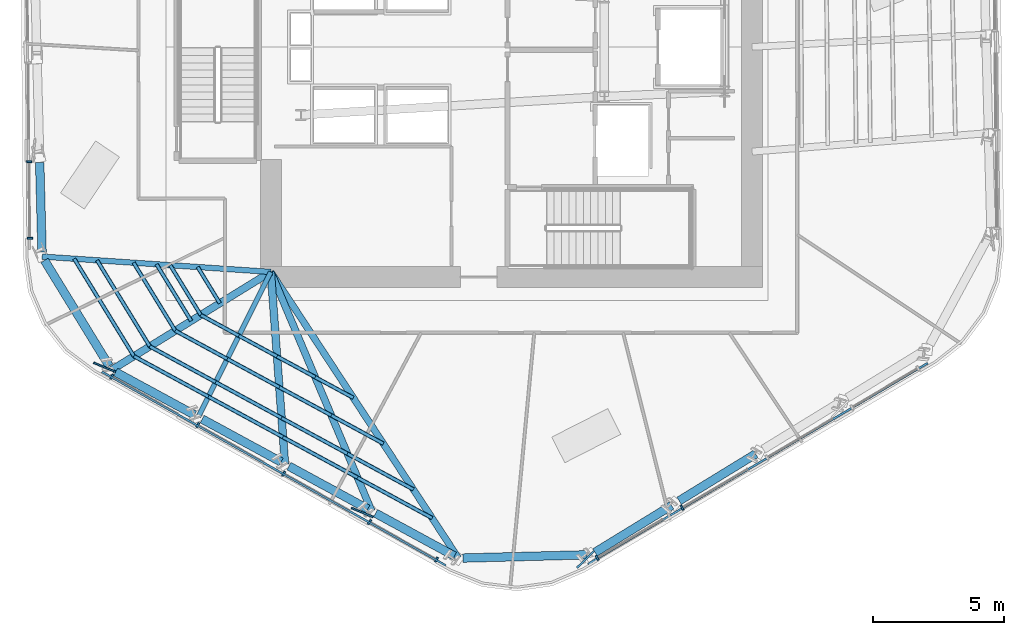
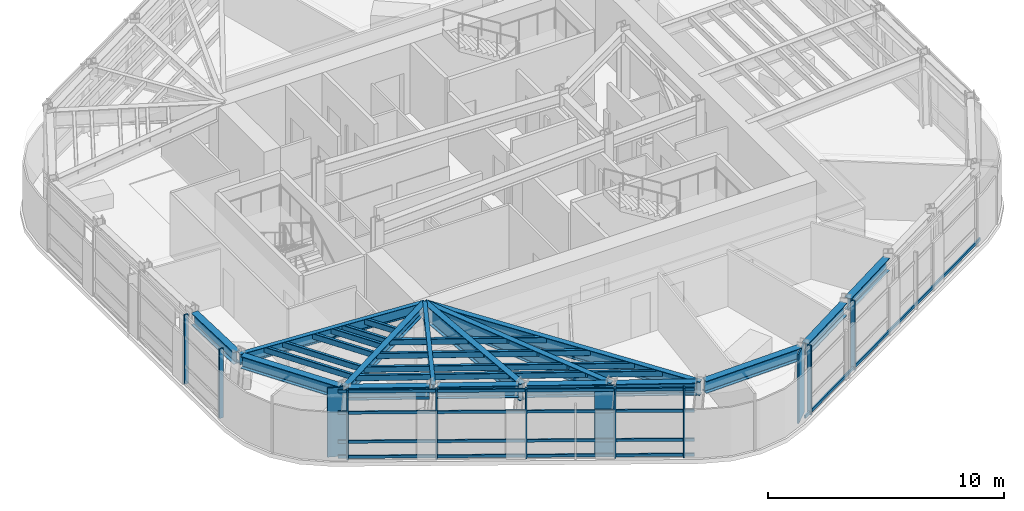
# One storey, part 2 of 16: 39 members, 15 beams, 3 elements without a shape of their own.
"""IFC4 building model written with IfcOpenShell, lengths in metres."""

from ifc_helpers import new_model, si_unit, direction, frame, origin, origin_2d, place, context, subcontext, project, spatial, rectangle, hollow_rectangle, i_section, extrude, material, layer, layer_set, material_profile, profile_set, type_object, element, aggregate, save


model = new_model("IFC4")

# Units and contexts
model_context = context("Model", 3, precision=1e-05, world=origin(), true_north=direction((0.0, 1.0)))
body_context = subcontext(model_context, "Body", "Model", "MODEL_VIEW")
ifc_project = project(units=[si_unit("LENGTHUNIT", "METRE"), si_unit("AREAUNIT", "SQUARE_METRE"), si_unit("VOLUMEUNIT", "CUBIC_METRE"), si_unit("PLANEANGLEUNIT", "RADIAN"), si_unit("MASSUNIT", "GRAM", prefix="KILO")], contexts=[model_context])

# Site, building, storey
site_placement = place(None, origin())
site = spatial("IfcSite", under=ifc_project, at=site_placement, CompositionType="ELEMENT")
building_placement = place(site_placement, origin())
building = spatial("IfcBuilding", under=site, at=building_placement, Name="Valkerne Bourse Tower", CompositionType="ELEMENT")
storey_placement = place(building_placement, frame((0.0, 0.0, 155.199951171875)))
storey = spatial("IfcBuildingStorey", under=building, at=storey_placement, Name="L39", CompositionType="ELEMENT", Elevation=155.199951171875)

# Beams
ifc_material_1 = material(Name="Steel ASTM A992", Category="steel")
ifc_material_profile_1 = material_profile(ifc_material_1, i_section(OverallWidth=0.1904296875, OverallDepth=0.457275390625, WebThickness=0.009033203125, FlangeThickness=0.014404296875, FilletRadius=0.01513671875, at=origin_2d()), Name="W18X50")
ifc_profile_set_1 = profile_set([ifc_material_profile_1], Name="Steel ASTM A992")
beam_type_1 = type_object("IfcBeamType", Name="BM-W18X50", PredefinedType="JOIST", material=ifc_profile_set_1)
beam_1_placement = place(storey_placement, frame((34.828857421875, 12.854736328125, 3.3515625), z_axis=(0.447040300408, 0.894513817563, 0.0), x_axis=(-0.894513817563, 0.447040300408, 0.0)))
element("IfcBeam", 1, at=beam_1_placement, inside=storey, type_object=beam_type_1, Name="L39 Radial Composite Floor Beam 16", PredefinedType="JOIST", context=body_context, shape_type="SweptSolid", body=[
    extrude(i_section(OverallWidth=0.1904296875, OverallDepth=0.457275390625, WebThickness=0.009033203125, FlangeThickness=0.014404296875, FilletRadius=0.01513671875, at=origin_2d()), origin(), (0.0, 0.0, 1.0), 6.198974609375),
])
ifc_material_profile_2 = material_profile(ifc_material_1, i_section(OverallWidth=0.279296875, OverallDepth=0.46240234375, WebThickness=0.0107421875, FlangeThickness=0.017333984375, FilletRadius=0.017822265625, at=origin_2d()), Name="W18X76")
ifc_profile_set_2 = profile_set([ifc_material_profile_2], Name="Steel ASTM A992")
beam_type_2 = type_object("IfcBeamType", Name="BM-W18X76", PredefinedType="BEAM", material=ifc_profile_set_2)
beam_2_placement = place(storey_placement, frame((31.514892578125, 14.654052734375, 3.348876953125), z_axis=(0.851589097341, 0.524209890492, 0.0), x_axis=(-0.524209890492, 0.851589097341, 0.0)))
element("IfcBeam", 2, at=beam_2_placement, inside=storey, type_object=beam_type_2, Name="L39 Radial Composite Floor Beam 15", PredefinedType="BEAM", context=body_context, shape_type="SweptSolid", body=[
    extrude(i_section(OverallWidth=0.279296875, OverallDepth=0.46240234375, WebThickness=0.0107421875, FlangeThickness=0.017333984375, FilletRadius=0.017822265625, at=origin_2d()), origin(), (0.0, 0.0, 1.0), 7.145751953125),
])
ifc_material_profile_3 = material_profile(ifc_material_1, i_section(OverallWidth=0.209228515625, OverallDepth=0.533447265625, WebThickness=0.01025390625, FlangeThickness=0.015625, FilletRadius=0.017822265625, at=origin_2d()), Name="W21X62")
ifc_profile_set_3 = profile_set([ifc_material_profile_3], Name="Steel ASTM A992")
beam_type_3 = type_object("IfcBeamType", Name="BM-W21X62", PredefinedType="JOIST", material=ifc_profile_set_3)
beam_3_placement = place(storey_placement, frame((28.8603515625, 18.985595703125, 3.313232421875), z_axis=(0.997762035655, -0.06686494004, 0.0), x_axis=(0.06686494004, 0.997762035655, 0.0)))
element("IfcBeam", 3, at=beam_3_placement, inside=storey, type_object=beam_type_3, Name="L39 Radial Composite Floor Beam 14", PredefinedType="JOIST", context=body_context, shape_type="SweptSolid", body=[
    extrude(i_section(OverallWidth=0.209228515625, OverallDepth=0.533447265625, WebThickness=0.01025390625, FlangeThickness=0.015625, FilletRadius=0.017822265625, at=origin_2d()), origin(), (0.0, 0.0, 1.0), 8.75927734375),
])
ifc_material_profile_4 = material_profile(ifc_material_1, i_section(OverallWidth=0.32763671875, OverallDepth=0.62744140625, WebThickness=0.0166015625, FlangeThickness=0.027587890625, FilletRadius=0.020263671875, at=origin_2d()), Name="W24X146")
ifc_profile_set_4 = profile_set([ifc_material_profile_4], Name="Steel ASTM A992")
beam_type_4 = type_object("IfcBeamType", Name="BM-W24X146", PredefinedType="SPANDREL", material=ifc_profile_set_4)
beam_4_placement = place(storey_placement, frame((28.76611328125, 22.58544921875, 3.266357421875), z_axis=(0.026185053561, -0.999657112699, 0.0), x_axis=(0.999657112699, 0.026185053561, 0.0)))
element("IfcBeam", 4, at=beam_4_placement, inside=storey, type_object=beam_type_4, Name="L39 Hexagonal Spandrel Ring Beam 13", PredefinedType="SPANDREL", context=body_context, shape_type="SweptSolid", body=[
    extrude(i_section(OverallWidth=0.32763671875, OverallDepth=0.62744140625, WebThickness=0.0166015625, FlangeThickness=0.027587890625, FilletRadius=0.020263671875, at=origin_2d()), origin(), (0.0, 0.0, 1.0), 3.43115234375),
])
beam_5_placement = place(storey_placement, frame((28.94921875, 18.8408203125, 3.266357421875), z_axis=(0.522501670673, -0.852638261014, 0.0), x_axis=(0.852638261014, 0.522501670673, 0.0)))
element("IfcBeam", 5, at=beam_5_placement, inside=storey, type_object=beam_type_4, Name="L39 Hexagonal Spandrel Ring Beam 14", PredefinedType="SPANDREL", context=body_context, shape_type="SweptSolid", body=[
    extrude(i_section(OverallWidth=0.32763671875, OverallDepth=0.62744140625, WebThickness=0.0166015625, FlangeThickness=0.027587890625, FilletRadius=0.020263671875, at=origin_2d()), origin(), (0.0, 0.0, 1.0), 4.740234375),
])
for number, where, z_axis, x_axis, name in (
    (6, (31.664306640625, 14.572998046875, 3.266357421875), (0.878802278942, -0.477186079561, 0.0), (0.477186079561, 0.878802278942, 0.0), "L39 Hexagonal Spandrel Ring Beam 15"),
    (7, (34.978271484375, 12.773681640625, 3.266357421875), (0.878802278942, -0.477186079561, 0.0), (0.477186079561, 0.878802278942, 0.0), "L39 Hexagonal Spandrel Ring Beam 16"),
    (8, (38.292236328125, 10.974365234375, 3.266357421875), (0.878802278942, -0.477186079561, 0.0), (0.477186079561, 0.878802278942, 0.0), "L39 Hexagonal Spandrel Ring Beam 17"),
    (9, (41.606201171875, 9.175048828125, 3.266357421875), (0.878802278942, -0.477186079561, 0.0), (0.477186079561, 0.878802278942, 0.0), "L39 Hexagonal Spandrel Ring Beam 18"),
):
    element("IfcBeam", number, at=place(storey_placement, frame(where, z_axis=z_axis, x_axis=x_axis)), inside=storey, type_object=beam_type_4, Name=name, PredefinedType="SPANDREL", context=body_context, shape_type="SweptSolid", body=[
        extrude(i_section(OverallWidth=0.32763671875, OverallDepth=0.62744140625, WebThickness=0.0166015625, FlangeThickness=0.027587890625, FilletRadius=0.020263671875, at=origin_2d()), origin(), (0.0, 0.0, 1.0), 3.430908203125),
    ])
beam_6_placement = place(storey_placement, frame((44.940673828125, 7.461181640625, 3.266357421875), z_axis=(0.999657651803, 0.026164464275, 0.0), x_axis=(-0.026164464275, 0.999657651803, 0.0)))
element("IfcBeam", 10, at=beam_6_placement, inside=storey, type_object=beam_type_4, Name="L39 Hexagonal Spandrel Ring Beam 19", PredefinedType="SPANDREL", context=body_context, shape_type="SweptSolid", body=[
    extrude(i_section(OverallWidth=0.32763671875, OverallDepth=0.62744140625, WebThickness=0.0166015625, FlangeThickness=0.027587890625, FilletRadius=0.020263671875, at=origin_2d()), origin(), (0.0, 0.0, 1.0), 4.740234375),
])
for number, where, z_axis, x_axis, name in (
    (11, (49.994140625, 7.678466796875, 3.266357421875), (0.852646245689, 0.522488640749, 0.0), (-0.522488640749, 0.852646245689, 0.0), "L39 Hexagonal Spandrel Ring Beam 20"),
    (12, (53.20947265625, 9.648681640625, 3.266357421875), (0.852614546043, 0.522540367699, 0.0), (-0.522540367699, 0.852614546043, 0.0), "L39 Hexagonal Spandrel Ring Beam 21"),
):
    element("IfcBeam", number, at=place(storey_placement, frame(where, z_axis=z_axis, x_axis=x_axis)), inside=storey, type_object=beam_type_4, Name=name, PredefinedType="SPANDREL", context=body_context, shape_type="SweptSolid", body=[
        extrude(i_section(OverallWidth=0.32763671875, OverallDepth=0.62744140625, WebThickness=0.0166015625, FlangeThickness=0.027587890625, FilletRadius=0.020263671875, at=origin_2d()), origin(), (0.0, 0.0, 1.0), 3.43115234375),
    ])
ifc_material_profile_5 = material_profile(ifc_material_1, i_section(OverallWidth=0.255859375, OverallDepth=0.693359375, WebThickness=0.014404296875, FlangeThickness=0.023681640625, FilletRadius=0.02294921875, at=origin_2d()), Name="W27X114")
ifc_profile_set_5 = profile_set([ifc_material_profile_5], Name="Steel ASTM A992")
beam_type_5 = type_object("IfcBeamType", Name="BM-W27X114", PredefinedType="BEAM", material=ifc_profile_set_5)
beam_7_placement = place(storey_placement, frame((44.770751953125, 7.456787109375, 3.2333984375), z_axis=(-0.548081182325, 0.836425141648, 0.0), x_axis=(-0.836425141648, -0.548081182325, 0.0)))
element("IfcBeam", 13, at=beam_7_placement, inside=storey, type_object=beam_type_5, Name="L39 Radial Composite Floor Beam 19", PredefinedType="BEAM", context=body_context, shape_type="SweptSolid", body=[
    extrude(i_section(OverallWidth=0.255859375, OverallDepth=0.693359375, WebThickness=0.014404296875, FlangeThickness=0.023681640625, FilletRadius=0.02294921875, at=origin_2d()), origin(), (0.0, 0.0, 1.0), 13.083251953125),
])
ifc_material_profile_6 = material_profile(ifc_material_1, i_section(OverallWidth=0.26806640625, OverallDepth=0.76953125, WebThickness=0.015625, FlangeThickness=0.025390625, FilletRadius=0.025390625, at=origin_2d()), Name="W30X132")
ifc_profile_set_6 = profile_set([ifc_material_profile_6], Name="Steel ASTM A992")
beam_type_6 = type_object("IfcBeamType", Name="BM-W30X132", PredefinedType="BEAM", material=ifc_profile_set_6)
beam_8_placement = place(storey_placement, frame((41.456787109375, 9.256103515625, 3.1953125), z_axis=(-0.388627735144, 0.921394857527, 0.0), x_axis=(-0.921394857527, -0.388627735144, 0.0)))
element("IfcBeam", 14, at=beam_8_placement, inside=storey, type_object=beam_type_6, Name="L39 Radial Composite Floor Beam 18", PredefinedType="BEAM", context=body_context, shape_type="SweptSolid", body=[
    extrude(i_section(OverallWidth=0.26806640625, OverallDepth=0.76953125, WebThickness=0.015625, FlangeThickness=0.025390625, FilletRadius=0.025390625, at=origin_2d()), origin(), (0.0, 0.0, 1.0), 9.923828125),
])
ifc_material_profile_7 = material_profile(ifc_material_1, i_section(OverallWidth=0.2919921875, OverallDepth=0.8583984375, WebThickness=0.01708984375, FlangeThickness=0.031005859375, FilletRadius=0.025390625, at=origin_2d()), Name="W33X169")
ifc_profile_set_7 = profile_set([ifc_material_profile_7], Name="Steel ASTM A992")
beam_type_7 = type_object("IfcBeamType", Name="BM-W33X169", PredefinedType="BEAM", material=ifc_profile_set_7)
beam_9_placement = place(storey_placement, frame((38.142822265625, 11.055419921875, 3.15087890625), z_axis=(-0.073694622855, 0.997280854405, 0.0), x_axis=(-0.997280854405, -0.073694622855, 0.0)))
element("IfcBeam", 15, at=beam_9_placement, inside=storey, type_object=beam_type_7, Name="L39 Radial Composite Floor Beam 17", PredefinedType="BEAM", context=body_context, shape_type="SweptSolid", body=[
    extrude(i_section(OverallWidth=0.2919921875, OverallDepth=0.8583984375, WebThickness=0.01708984375, FlangeThickness=0.031005859375, FilletRadius=0.025390625, at=origin_2d()), origin(), (0.0, 0.0, 1.0), 7.364501953125),
])

# Curtain wall, members
ifc_material_2 = material(Name="Aluminium AA 6063-T6", Category="aluminium")
ifc_layer = layer(ifc_material_2, 0.235107421875)
ifc_layer_set = layer_set([ifc_layer], Name="Aluminium AA 6063-T6")
curtain_wall_type = type_object("IfcCurtainWallType", Name="CW-03", PredefinedType="NOTDEFINED", material=ifc_layer_set)
curtain_wall_1_placement = place(storey_placement, origin())
curtain_wall_1 = element("IfcCurtainWall", 16, at=curtain_wall_1_placement, inside=storey, type_object=curtain_wall_type, Name="L39 Hexagonal Stick Curtain Wall Face 3", PredefinedType="NOTDEFINED")
ifc_material_profile_8 = material_profile(ifc_material_2, rectangle(XDim=0.074951171875, YDim=0.199951171875, at=origin_2d()), Name="CWM-75X200")
ifc_profile_set_8 = profile_set([ifc_material_profile_8], Name="Aluminium AA 6063-T6")
member_type_1 = type_object("IfcMemberType", Name="CW-MUL-220X75", PredefinedType="MULLION", material=ifc_profile_set_8)
member_1_placement = place(storey_placement, frame((28.36181640625, 22.61572265625, 0.0), z_axis=(0.0, 0.0, 1.0), x_axis=(0.010448140824, -0.999945416687, 0.0)))
member_1 = element("IfcMember", 17, at=member_1_placement, type_object=member_type_1, Name="CW-L39-F3 Jamb Mullion 03A", PredefinedType="MULLION", context=body_context, shape_type="SweptSolid", body=[
    extrude(rectangle(XDim=0.074951171875, YDim=0.199951171875, at=origin_2d()), origin(), (0.0, 0.0, 1.0), 3.580078125),
])
member_2_placement = place(storey_placement, frame((28.392333984375, 19.684814453125, 0.0), z_axis=(0.0, 0.0, 1.0), x_axis=(0.010448140824, -0.999945416687, 0.0)))
member_2 = element("IfcMember", 18, at=member_2_placement, type_object=member_type_1, Name="CW-L39-F3 Jamb Mullion 03B", PredefinedType="MULLION", context=body_context, shape_type="SweptSolid", body=[
    extrude(rectangle(XDim=0.074951171875, YDim=0.199951171875, at=origin_2d()), origin(), (0.0, 0.0, 1.0), 3.580078125),
])
aggregate(curtain_wall_1, [member_1, member_2])

curtain_wall_2_placement = place(storey_placement, origin())
curtain_wall_2 = element("IfcCurtainWall", 19, at=curtain_wall_2_placement, inside=storey, type_object=curtain_wall_type, Name="L39 Hexagonal Stick Curtain Wall Face 4", PredefinedType="NOTDEFINED")
member_3_placement = place(storey_placement, frame((31.521728515625, 14.393310546875, 0.0), z_axis=(0.0, 0.0, 1.0), x_axis=(0.871216959432, -0.490898166219, 0.0)))
member_3 = element("IfcMember", 20, at=member_3_placement, type_object=member_type_1, Name="CW-L39-F4 Jamb Mullion 00A", PredefinedType="MULLION", context=body_context, shape_type="SweptSolid", body=[
    extrude(rectangle(XDim=0.074951171875, YDim=0.199951171875, at=origin_2d()), origin(), (0.0, 0.0, 1.0), 3.580078125),
])
member_4_placement = place(storey_placement, frame((34.80712890625, 12.542236328125, 0.0), z_axis=(0.0, 0.0, 1.0), x_axis=(0.871210568919, -0.490909507552, 0.0)))
member_4 = element("IfcMember", 21, at=member_4_placement, type_object=member_type_1, Name="CW-L39-F4 Jamb Mullion 01A", PredefinedType="MULLION", context=body_context, shape_type="SweptSolid", body=[
    extrude(rectangle(XDim=0.074951171875, YDim=0.199951171875, at=origin_2d()), origin(), (0.0, 0.0, 1.0), 3.580078125),
])
member_5_placement = place(storey_placement, frame((38.09228515625, 10.69091796875, 0.0), z_axis=(0.0, 0.0, 1.0), x_axis=(0.871216959432, -0.490898166219, 0.0)))
member_5 = element("IfcMember", 22, at=member_5_placement, type_object=member_type_1, Name="CW-L39-F4 Jamb Mullion 02A", PredefinedType="MULLION", context=body_context, shape_type="SweptSolid", body=[
    extrude(rectangle(XDim=0.074951171875, YDim=0.199951171875, at=origin_2d()), origin(), (0.0, 0.0, 1.0), 3.580078125),
])
member_6_placement = place(storey_placement, frame((41.377685546875, 8.83984375, 0.0), z_axis=(0.0, 0.0, 1.0), x_axis=(0.871210568919, -0.490909507552, 0.0)))
member_6 = element("IfcMember", 23, at=member_6_placement, type_object=member_type_1, Name="CW-L39-F4 Jamb Mullion 03A", PredefinedType="MULLION", context=body_context, shape_type="SweptSolid", body=[
    extrude(rectangle(XDim=0.074951171875, YDim=0.199951171875, at=origin_2d()), origin(), (0.0, 0.0, 1.0), 3.580078125),
])
member_7_placement = place(storey_placement, frame((43.931396484375, 7.40087890625, 0.0), z_axis=(0.0, 0.0, 1.0), x_axis=(0.871210568919, -0.490909507552, 0.0)))
member_7 = element("IfcMember", 24, at=member_7_placement, type_object=member_type_1, Name="CW-L39-F4 Jamb Mullion 03B", PredefinedType="MULLION", context=body_context, shape_type="SweptSolid", body=[
    extrude(rectangle(XDim=0.074951171875, YDim=0.199951171875, at=origin_2d()), origin(), (0.0, 0.0, 1.0), 3.580078125),
])

curtain_wall_3_placement = place(storey_placement, origin())
curtain_wall_3 = element("IfcCurtainWall", 25, at=curtain_wall_3_placement, inside=storey, type_object=curtain_wall_type, Name="L39 Hexagonal Stick Curtain Wall Face 5", PredefinedType="NOTDEFINED")
member_8_placement = place(storey_placement, frame((50.07861328125, 7.46533203125, 0.0), z_axis=(0.0, 0.0, 1.0), x_axis=(0.860744340177, 0.509037504368, 0.0)))
member_8 = element("IfcMember", 26, at=member_8_placement, type_object=member_type_1, Name="CW-L39-F5 Jamb Mullion 00A", PredefinedType="MULLION", context=body_context, shape_type="SweptSolid", body=[
    extrude(rectangle(XDim=0.074951171875, YDim=0.199951171875, at=origin_2d()), origin(), (0.0, 0.0, 1.0), 3.580078125),
])
member_9_placement = place(storey_placement, frame((53.324462890625, 9.385009765625, 0.0), z_axis=(0.0, 0.0, 1.0), x_axis=(0.860744340177, 0.509037504368, 0.0)))
member_9 = element("IfcMember", 27, at=member_9_placement, type_object=member_type_1, Name="CW-L39-F5 Jamb Mullion 01A", PredefinedType="MULLION", context=body_context, shape_type="SweptSolid", body=[
    extrude(rectangle(XDim=0.074951171875, YDim=0.199951171875, at=origin_2d()), origin(), (0.0, 0.0, 1.0), 3.580078125),
])

# Member
ifc_material_profile_9 = material_profile(ifc_material_2, rectangle(XDim=0.074951171875, YDim=0.14990234375, at=origin_2d()), Name="CWT-75X150")
ifc_profile_set_9 = profile_set([ifc_material_profile_9], Name="Aluminium AA 6063-T6")
member_type_2 = type_object("IfcMemberType", Name="CW-TRN-180X65", PredefinedType="USERDEFINED", material=ifc_profile_set_9)
member_10_placement = place(storey_placement, frame((31.14599609375, 14.582275390625, 0.1201171875), z_axis=(0.871213504858, -0.490904297143, 0.0), x_axis=(0.490904297143, 0.871213504858, 0.0)))
member_10 = element("IfcMember", 28, at=member_10_placement, type_object=member_type_2, Name="CW-L39-F4 Continuous Face Transom 1", ObjectType="TRANSOM", PredefinedType="USERDEFINED", context=body_context, shape_type="SweptSolid", body=[
    extrude(rectangle(XDim=0.074951171875, YDim=0.14990234375, at=origin_2d()), origin(), (0.0, 0.0, 1.0), 15.083984375),
])

member_11_placement = place(storey_placement, frame((31.14599609375, 14.582275390625, 0.900146484375), z_axis=(0.871213504858, -0.490904297143, 0.0), x_axis=(0.490904297143, 0.871213504858, 0.0)))
member_11 = element("IfcMember", 29, at=member_11_placement, type_object=member_type_2, Name="CW-L39-F4 Continuous Face Transom 2", ObjectType="TRANSOM", PredefinedType="USERDEFINED", context=body_context, shape_type="SweptSolid", body=[
    extrude(rectangle(XDim=0.074951171875, YDim=0.14990234375, at=origin_2d()), origin(), (0.0, 0.0, 1.0), 15.083984375),
])

member_12_placement = place(storey_placement, frame((31.14599609375, 14.582275390625, 2.400146484375), z_axis=(0.871213504858, -0.490904297143, 0.0), x_axis=(0.490904297143, 0.871213504858, 0.0)))
member_12 = element("IfcMember", 30, at=member_12_placement, type_object=member_type_2, Name="CW-L39-F4 Continuous Face Transom 3", ObjectType="TRANSOM", PredefinedType="USERDEFINED", context=body_context, shape_type="SweptSolid", body=[
    extrude(rectangle(XDim=0.074951171875, YDim=0.14990234375, at=origin_2d()), origin(), (0.0, 0.0, 1.0), 15.083984375),
])

member_13_placement = place(storey_placement, frame((31.14599609375, 14.582275390625, 3.5), z_axis=(0.871213504858, -0.490904297143, 0.0), x_axis=(0.490904297143, 0.871213504858, 0.0)))
member_13 = element("IfcMember", 31, at=member_13_placement, type_object=member_type_2, Name="CW-L39-F4 Continuous Face Transom 4", ObjectType="TRANSOM", PredefinedType="USERDEFINED", context=body_context, shape_type="SweptSolid", body=[
    extrude(rectangle(XDim=0.074951171875, YDim=0.14990234375, at=origin_2d()), origin(), (0.0, 0.0, 1.0), 15.083984375),
])

aggregate(curtain_wall_2, [member_10, member_11, member_12, member_13, member_3, member_4, member_5, member_6, member_7])

member_14_placement = place(storey_placement, frame((49.727294921875, 7.234375, 0.1201171875), z_axis=(0.860746029041, 0.509034648615, 0.0), x_axis=(-0.509034648615, 0.860746029041, 0.0)))
member_14 = element("IfcMember", 32, at=member_14_placement, type_object=member_type_2, Name="CW-L39-F5 Continuous Face Transom 1", ObjectType="TRANSOM", PredefinedType="USERDEFINED", context=body_context, shape_type="SweptSolid", body=[
    extrude(rectangle(XDim=0.074951171875, YDim=0.14990234375, at=origin_2d()), origin(), (0.0, 0.0, 1.0), 15.083984375),
])

aggregate(curtain_wall_3, [member_14, member_8, member_9])

# Members
ifc_material_3 = material(Name="Bronze Anodised Aluminium AA 6063-T6", Category="aluminium")
ifc_material_profile_10 = material_profile(ifc_material_3, rectangle(XDim=0.070068359375, YDim=0.89990234375, at=origin_2d()), Name="FIN-70X900")
ifc_profile_set_10 = profile_set([ifc_material_profile_10], Name="Bronze Anodised Aluminium AA 6063-T6")
member_type_3 = type_object("IfcMemberType", Name="FIN-SOLAR-900", PredefinedType="USERDEFINED", material=ifc_profile_set_10)
for number, where, z_axis, x_axis, name in (
    (33, (31.244140625, 14.75634765625, 0.004150390625), (0.0, 0.0, 1.0), (-0.384148024504, -0.923271517632, 0.0), "L39 Bronze Anodised Solar Fin F4-00"),
    (34, (41.100341796875, 9.202880859375, 0.004150390625), (0.0, 0.0, 1.0), (-0.384162609562, -0.923265449053, 0.0), "L39 Bronze Anodised Solar Fin F4-03"),
    (35, (49.625244140625, 7.406494140625, 0.004150390625), (0.0, 0.0, 1.0), (0.702128340988, -0.712050414494, 0.0), "L39 Bronze Anodised Solar Fin F5-00"),
):
    element("IfcMember", number, at=place(storey_placement, frame(where, z_axis=z_axis, x_axis=x_axis)), inside=storey, type_object=member_type_3, Name=name, ObjectType="SOLAR_FIN", PredefinedType="USERDEFINED", context=body_context, shape_type="SweptSolid", body=[
        extrude(rectangle(XDim=0.070068359375, YDim=0.89990234375, at=origin_2d()), origin(), (0.0, 0.0, 1.0), 3.57177734375),
    ])
ifc_material_4 = material(Name="Steel ASTM A500 Grade C", Category="steel")
ifc_material_profile_11 = material_profile(ifc_material_4, hollow_rectangle(XDim=0.14990234375, YDim=0.300048828125, WallThickness=0.012451171875, OuterFilletRadius=0.02490234375, at=origin_2d()), Name="HSS300X150X12.5")
ifc_profile_set_11 = profile_set([ifc_material_profile_11], Name="Steel ASTM A500 Grade C")
member_type_4 = type_object("IfcMemberType", Name="MBR-HSS300X150X12.5", PredefinedType="PURLIN", material=ifc_profile_set_11)
member_15_placement = place(storey_placement, frame((34.80322265625, 18.58740234375, 3.420166015625), z_axis=(0.522512750946, -0.852631470859, 0.0), x_axis=(0.852631470859, 0.522512750946, 0.0)))
element("IfcMember", 36, at=member_15_placement, inside=storey, type_object=member_type_4, Name="L39 Secondary Composite Floor Purlin I-14", PredefinedType="PURLIN", context=body_context, shape_type="SweptSolid", body=[
    extrude(hollow_rectangle(XDim=0.14990234375, YDim=0.300048828125, WallThickness=0.012451171875, OuterFilletRadius=0.02490234375, at=origin_2d()), origin(), (0.0, 0.0, 1.0), 1.62548828125),
])
member_16_placement = place(storey_placement, frame((33.754638671875, 18.65771484375, 3.420166015625), z_axis=(0.522487785984, -0.852646769476, 0.0), x_axis=(0.852646769476, 0.522487785984, 0.0)))
element("IfcMember", 37, at=member_16_placement, inside=storey, type_object=member_type_4, Name="L39 Secondary Composite Floor Purlin K-14", PredefinedType="PURLIN", context=body_context, shape_type="SweptSolid", body=[
    extrude(hollow_rectangle(XDim=0.14990234375, YDim=0.300048828125, WallThickness=0.012451171875, OuterFilletRadius=0.02490234375, at=origin_2d()), origin(), (0.0, 0.0, 1.0), 2.2353515625),
])
member_17_placement = place(storey_placement, frame((34.922607421875, 16.751708984375, 3.420166015625), z_axis=(0.878849905698, -0.47709835805, 0.0), x_axis=(0.47709835805, 0.878849905698, 0.0)))
element("IfcMember", 38, at=member_17_placement, inside=storey, type_object=member_type_4, Name="L39 Secondary Composite Floor Purlin K-15", PredefinedType="PURLIN", context=body_context, shape_type="SweptSolid", body=[
    extrude(hollow_rectangle(XDim=0.14990234375, YDim=0.300048828125, WallThickness=0.012451171875, OuterFilletRadius=0.02490234375, at=origin_2d()), origin(), (0.0, 0.0, 1.0), 1.658935546875),
])
for number, where, z_axis, x_axis, name in (
    (39, (36.380615234375, 15.960205078125, 3.420166015625), (0.878821702564, -0.477150306615, 0.0), (0.477150306615, 0.878821702564, 0.0), "L39 Secondary Composite Floor Purlin K-16"),
    (40, (37.8388671875, 15.16845703125, 3.420166015625), (0.878821702564, -0.477150306615, 0.0), (0.477150306615, 0.878821702564, 0.0), "L39 Secondary Composite Floor Purlin K-17"),
):
    element("IfcMember", number, at=place(storey_placement, frame(where, z_axis=z_axis, x_axis=x_axis)), inside=storey, type_object=member_type_4, Name=name, PredefinedType="PURLIN", context=body_context, shape_type="SweptSolid", body=[
        extrude(hollow_rectangle(XDim=0.14990234375, YDim=0.300048828125, WallThickness=0.012451171875, OuterFilletRadius=0.02490234375, at=origin_2d()), origin(), (0.0, 0.0, 1.0), 1.659423828125),
    ])
member_18_placement = place(storey_placement, frame((39.297119140625, 14.376708984375, 3.420166015625), z_axis=(0.878788198081, -0.477212010445, 0.0), x_axis=(0.477212010445, 0.878788198081, 0.0)))
element("IfcMember", 41, at=member_18_placement, inside=storey, type_object=member_type_4, Name="L39 Secondary Composite Floor Purlin K-18", PredefinedType="PURLIN", context=body_context, shape_type="SweptSolid", body=[
    extrude(hollow_rectangle(XDim=0.14990234375, YDim=0.300048828125, WallThickness=0.012451171875, OuterFilletRadius=0.02490234375, at=origin_2d()), origin(), (0.0, 0.0, 1.0), 1.6591796875),
])
member_19_placement = place(storey_placement, frame((33.230224609375, 18.69287109375, 3.420166015625), z_axis=(0.522487678577, -0.852646835293, 0.0), x_axis=(0.852646835293, 0.522487678577, 0.0)))
element("IfcMember", 42, at=member_19_placement, inside=storey, type_object=member_type_4, Name="L39 Secondary Composite Floor Purlin M-14", PredefinedType="PURLIN", context=body_context, shape_type="SweptSolid", body=[
    extrude(hollow_rectangle(XDim=0.14990234375, YDim=0.300048828125, WallThickness=0.012451171875, OuterFilletRadius=0.02490234375, at=origin_2d()), origin(), (0.0, 0.0, 1.0), 2.5400390625),
])
member_20_placement = place(storey_placement, frame((30.9580078125, 18.84521484375, 3.420166015625), z_axis=(0.522424155229, -0.852685758081, 0.0), x_axis=(0.852685758081, 0.522424155229, 0.0)))
element("IfcMember", 43, at=member_20_placement, inside=storey, type_object=member_type_4, Name="L39 Secondary Composite Floor Purlin O-14", PredefinedType="PURLIN", context=body_context, shape_type="SweptSolid", body=[
    extrude(hollow_rectangle(XDim=0.14990234375, YDim=0.300048828125, WallThickness=0.012451171875, OuterFilletRadius=0.02490234375, at=origin_2d()), origin(), (0.0, 0.0, 1.0), 3.861083984375),
])
member_21_placement = place(storey_placement, frame((32.97509765625, 15.552978515625, 3.420166015625), z_axis=(0.878841185535, -0.477114420876, 0.0), x_axis=(0.477114420876, 0.878841185535, 0.0)))
element("IfcMember", 44, at=member_21_placement, inside=storey, type_object=member_type_4, Name="L39 Secondary Composite Floor Purlin O-15", PredefinedType="PURLIN", context=body_context, shape_type="SweptSolid", body=[
    extrude(hollow_rectangle(XDim=0.14990234375, YDim=0.300048828125, WallThickness=0.012451171875, OuterFilletRadius=0.02490234375, at=origin_2d()), origin(), (0.0, 0.0, 1.0), 2.865966796875),
])
member_22_placement = place(storey_placement, frame((35.493896484375, 14.185546875, 3.420166015625), z_axis=(0.878821792274, -0.477150141385, 0.0), x_axis=(0.477150141385, 0.878821792274, 0.0)))
element("IfcMember", 45, at=member_22_placement, inside=storey, type_object=member_type_4, Name="L39 Secondary Composite Floor Purlin O-16", PredefinedType="PURLIN", context=body_context, shape_type="SweptSolid", body=[
    extrude(hollow_rectangle(XDim=0.14990234375, YDim=0.300048828125, WallThickness=0.012451171875, OuterFilletRadius=0.02490234375, at=origin_2d()), origin(), (0.0, 0.0, 1.0), 2.86572265625),
])
for number, where, z_axis, x_axis, name in (
    (46, (38.012451171875, 12.818115234375, 3.420166015625), (0.878841185535, -0.477114420876, 0.0), (0.477114420876, 0.878841185535, 0.0), "L39 Secondary Composite Floor Purlin O-17"),
    (47, (40.53125, 11.45068359375, 3.420166015625), (0.878786068475, -0.477215932105, 0.0), (0.477215932105, 0.878786068475, 0.0), "L39 Secondary Composite Floor Purlin O-18"),
):
    element("IfcMember", number, at=place(storey_placement, frame(where, z_axis=z_axis, x_axis=x_axis)), inside=storey, type_object=member_type_4, Name=name, PredefinedType="PURLIN", context=body_context, shape_type="SweptSolid", body=[
        extrude(hollow_rectangle(XDim=0.14990234375, YDim=0.300048828125, WallThickness=0.012451171875, OuterFilletRadius=0.02490234375, at=origin_2d()), origin(), (0.0, 0.0, 1.0), 2.865966796875),
    ])
member_23_placement = place(storey_placement, frame((32.356201171875, 18.75146484375, 3.420166015625), z_axis=(0.522541397806, -0.852613914723, 0.0), x_axis=(0.852613914723, 0.522541397806, 0.0)))
element("IfcMember", 48, at=member_23_placement, inside=storey, type_object=member_type_4, Name="L39 Secondary Composite Floor Purlin Z-14", PredefinedType="PURLIN", context=body_context, shape_type="SweptSolid", body=[
    extrude(hollow_rectangle(XDim=0.14990234375, YDim=0.300048828125, WallThickness=0.012451171875, OuterFilletRadius=0.02490234375, at=origin_2d()), origin(), (0.0, 0.0, 1.0), 3.048095703125),
])
member_24_placement = place(storey_placement, frame((33.948974609375, 16.152587890625, 3.420166015625), z_axis=(0.878809475161, -0.477172826518, 0.0), x_axis=(0.477172826518, 0.878809475161, 0.0)))
element("IfcMember", 49, at=member_24_placement, inside=storey, type_object=member_type_4, Name="L39 Secondary Composite Floor Purlin Z-15", PredefinedType="PURLIN", context=body_context, shape_type="SweptSolid", body=[
    extrude(hollow_rectangle(XDim=0.14990234375, YDim=0.300048828125, WallThickness=0.012451171875, OuterFilletRadius=0.02490234375, at=origin_2d()), origin(), (0.0, 0.0, 1.0), 2.262451171875),
])
member_25_placement = place(storey_placement, frame((35.937255859375, 15.072998046875, 3.420166015625), z_axis=(0.878788796625, -0.477210908222, 0.0), x_axis=(0.477210908222, 0.878788796625, 0.0)))
element("IfcMember", 50, at=member_25_placement, inside=storey, type_object=member_type_4, Name="L39 Secondary Composite Floor Purlin Z-16", PredefinedType="PURLIN", context=body_context, shape_type="SweptSolid", body=[
    extrude(hollow_rectangle(XDim=0.14990234375, YDim=0.300048828125, WallThickness=0.012451171875, OuterFilletRadius=0.02490234375, at=origin_2d()), origin(), (0.0, 0.0, 1.0), 2.2626953125),
])
member_26_placement = place(storey_placement, frame((37.92578125, 13.9931640625, 3.420166015625), z_axis=(0.878854724458, -0.477089481438, 0.0), x_axis=(0.477089481438, 0.878854724458, 0.0)))
element("IfcMember", 51, at=member_26_placement, inside=storey, type_object=member_type_4, Name="L39 Secondary Composite Floor Purlin Z-17", PredefinedType="PURLIN", context=body_context, shape_type="SweptSolid", body=[
    extrude(hollow_rectangle(XDim=0.14990234375, YDim=0.300048828125, WallThickness=0.012451171875, OuterFilletRadius=0.02490234375, at=origin_2d()), origin(), (0.0, 0.0, 1.0), 2.262451171875),
])
member_27_placement = place(storey_placement, frame((39.9140625, 12.913818359375, 3.420166015625), z_axis=(0.878788796625, -0.477210908222, 0.0), x_axis=(0.477210908222, 0.878788796625, 0.0)))
element("IfcMember", 52, at=member_27_placement, inside=storey, type_object=member_type_4, Name="L39 Secondary Composite Floor Purlin Z-18", PredefinedType="PURLIN", context=body_context, shape_type="SweptSolid", body=[
    extrude(hollow_rectangle(XDim=0.14990234375, YDim=0.300048828125, WallThickness=0.012451171875, OuterFilletRadius=0.02490234375, at=origin_2d()), origin(), (0.0, 0.0, 1.0), 2.2626953125),
])
member_28_placement = place(storey_placement, frame((30.083984375, 18.90380859375, 3.420166015625), z_axis=(0.522469021712, -0.852658267626, 0.0), x_axis=(0.852658267626, 0.522469021712, 0.0)))
element("IfcMember", 53, at=member_28_placement, inside=storey, type_object=member_type_4, Name="L39 Secondary Composite Floor Purlin T-14", PredefinedType="PURLIN", context=body_context, shape_type="SweptSolid", body=[
    extrude(hollow_rectangle(XDim=0.14990234375, YDim=0.300048828125, WallThickness=0.012451171875, OuterFilletRadius=0.02490234375, at=origin_2d()), origin(), (0.0, 0.0, 1.0), 4.369140625),
])
for number, where, z_axis, x_axis, name in (
    (54, (32.36669921875, 15.178466796875, 3.420166015625), (0.878831786253, -0.477131733876, 0.0), (0.477131733876, 0.878831786253, 0.0), "L39 Secondary Composite Floor Purlin T-15"),
    (55, (35.216796875, 13.631103515625, 3.420166015625), (0.878800218695, -0.477189873763, 0.0), (0.477189873763, 0.878800218695, 0.0), "L39 Secondary Composite Floor Purlin T-16"),
):
    element("IfcMember", number, at=place(storey_placement, frame(where, z_axis=z_axis, x_axis=x_axis)), inside=storey, type_object=member_type_4, Name=name, PredefinedType="PURLIN", context=body_context, shape_type="SweptSolid", body=[
        extrude(hollow_rectangle(XDim=0.14990234375, YDim=0.300048828125, WallThickness=0.012451171875, OuterFilletRadius=0.02490234375, at=origin_2d()), origin(), (0.0, 0.0, 1.0), 3.2431640625),
    ])
member_29_placement = place(storey_placement, frame((38.06689453125, 12.08349609375, 3.420166015625), z_axis=(0.878814646452, -0.477163302425, 0.0), x_axis=(0.477163302425, 0.878814646452, 0.0)))
element("IfcMember", 56, at=member_29_placement, inside=storey, type_object=member_type_4, Name="L39 Secondary Composite Floor Purlin T-17", PredefinedType="PURLIN", context=body_context, shape_type="SweptSolid", body=[
    extrude(hollow_rectangle(XDim=0.14990234375, YDim=0.300048828125, WallThickness=0.012451171875, OuterFilletRadius=0.02490234375, at=origin_2d()), origin(), (0.0, 0.0, 1.0), 3.242919921875),
])
member_30_placement = place(storey_placement, frame((40.916748046875, 10.5361328125, 3.420166015625), z_axis=(0.878831786253, -0.477131733876, 0.0), x_axis=(0.477131733876, 0.878831786253, 0.0)))
element("IfcMember", 57, at=member_30_placement, inside=storey, type_object=member_type_4, Name="L39 Secondary Composite Floor Purlin T-18", PredefinedType="PURLIN", context=body_context, shape_type="SweptSolid", body=[
    extrude(hollow_rectangle(XDim=0.14990234375, YDim=0.300048828125, WallThickness=0.012451171875, OuterFilletRadius=0.02490234375, at=origin_2d()), origin(), (0.0, 0.0, 1.0), 3.2431640625),
])

save(model, "model.ifc")
